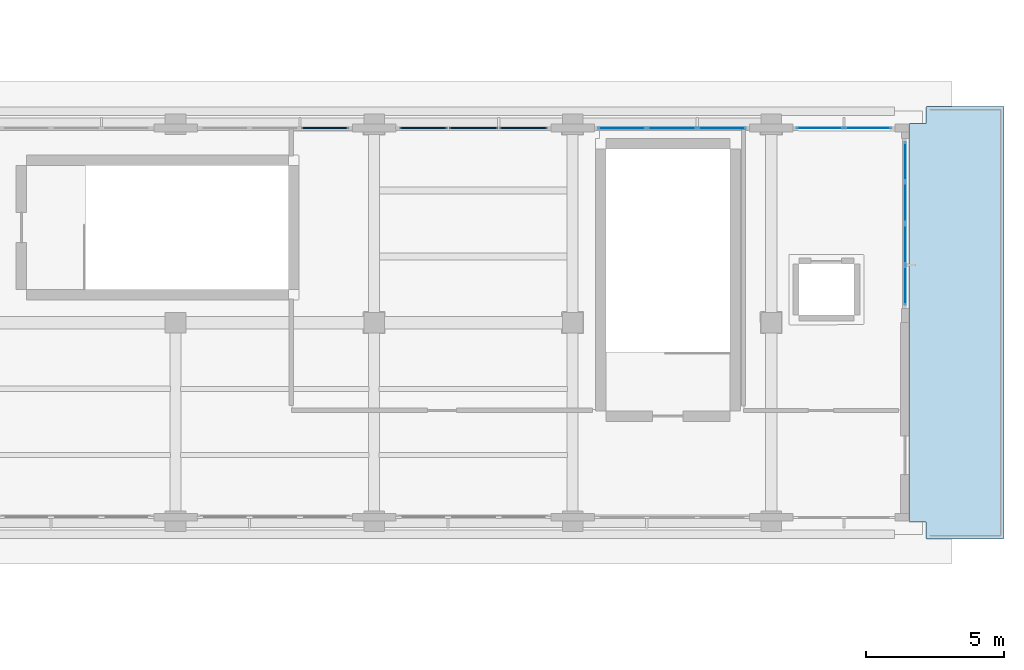
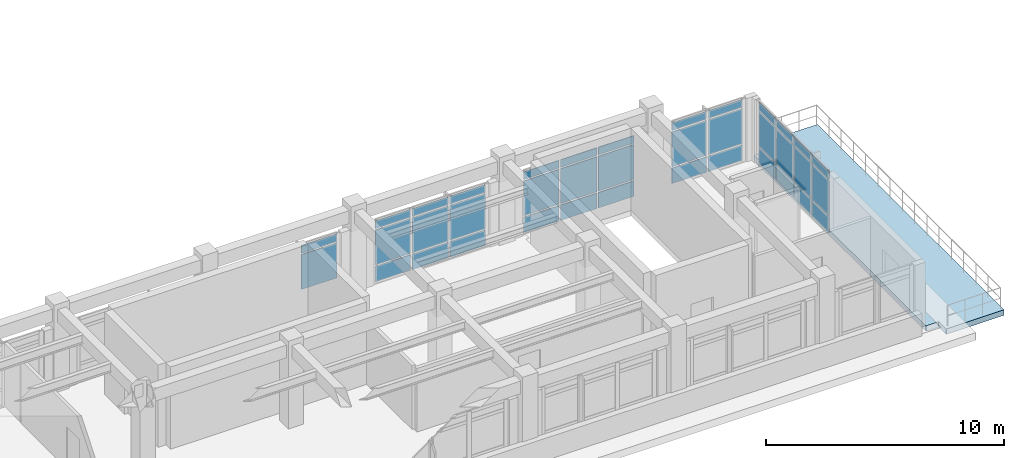
# One storey, part 39 of 64: 38 plates, 1 slab, 5 elements without a shape of their own.
"""IFC4 building model written with IfcOpenShell, lengths in metres."""

from ifc_helpers import new_model, si_unit, direction, frame, origin, origin_2d, place, context, subcontext, project, spatial, polyline, rectangle, outline, extrude, material, layer, layer_set, type_object, element, aggregate, save


model = new_model("IFC4")

# Units and contexts
model_context = context("Model", 3, precision=1e-05, world=origin(), true_north=direction((0.0, 1.0)))
body_context = subcontext(model_context, "Body", "Model", "MODEL_VIEW")
ifc_project = project(units=[si_unit("LENGTHUNIT", "METRE"), si_unit("AREAUNIT", "SQUARE_METRE"), si_unit("VOLUMEUNIT", "CUBIC_METRE"), si_unit("PLANEANGLEUNIT", "RADIAN"), si_unit("MASSUNIT", "GRAM", prefix="KILO")], contexts=[model_context])

# Site, building, storey
site_placement = place(None, origin())
site = spatial("IfcSite", under=ifc_project, at=site_placement, CompositionType="ELEMENT")
building_placement = place(site_placement, origin())
building = spatial("IfcBuilding", under=site, at=building_placement, Name="Solenvale Faculty of Natural Sciences", CompositionType="ELEMENT")
storey_placement = place(building_placement, frame((0.0, 0.0, 18.0)))
storey = spatial("IfcBuildingStorey", under=building, at=storey_placement, Name="L04", CompositionType="ELEMENT", Elevation=18.0)

# Curtain wall, plates
ifc_material_1 = material(Name="Anodised bronze aluminium", Category="aluminium")
ifc_layer_1 = layer(ifc_material_1, 0.199951171875)
ifc_layer_set_1 = layer_set([ifc_layer_1], Name="Anodised bronze aluminium")
curtain_wall_type = type_object("IfcCurtainWallType", Name="CW-COM-FIN", PredefinedType="USERDEFINED", material=ifc_layer_set_1)
curtain_wall_1_placement = place(storey_placement, origin())
curtain_wall_1 = element("IfcCurtainWall", 1, at=curtain_wall_1_placement, inside=storey, type_object=curtain_wall_type, Name="L04 Curtain Wall CW-L04-P2-E2-B2", ObjectType="UNITISED CURTAIN WALL", PredefinedType="USERDEFINED")
ifc_material_2 = material(Name="Triple low-E insulated glass", Category="glass")
ifc_layer_2 = layer(ifc_material_2, 0.031982421875)
ifc_layer_set_2 = layer_set([ifc_layer_2], Name="Triple low-E insulated glass")
plate_type_1 = type_object("IfcPlateType", Name="CWP-PNL-32", PredefinedType="CURTAIN_PANEL", material=ifc_layer_set_2)
plate_1_placement = place(storey_placement, frame((156.0576171875, 51.753662109375, 0.074951171875), z_axis=(0.0, 0.0, 1.0), x_axis=(0.0, 1.0, 0.0)))
plate_1 = element("IfcPlate", 2, at=plate_1_placement, type_object=plate_type_1, Name="CW-03 panel 1.1", PredefinedType="CURTAIN_PANEL", context=body_context, shape_type="SweptSolid", body=[
    extrude(rectangle(XDim=1.3974609375, YDim=0.031982421875, at=origin_2d()), origin(), (0.0, 0.0, 1.0), 0.78759765625),
])
plate_2_placement = place(storey_placement, frame((156.0576171875, 51.753662109375, 0.9375), z_axis=(0.0, 0.0, 1.0), x_axis=(0.0, 1.0, 0.0)))
plate_2 = element("IfcPlate", 3, at=plate_2_placement, type_object=plate_type_1, Name="CW-03 panel 1.2", PredefinedType="CURTAIN_PANEL", context=body_context, shape_type="SweptSolid", body=[
    extrude(rectangle(XDim=1.3974609375, YDim=0.031982421875, at=origin_2d()), origin(), (0.0, 0.0, 1.0), 1.784912109375),
])
plate_3_placement = place(storey_placement, frame((156.0576171875, 51.753662109375, 2.79736328125), z_axis=(0.0, 0.0, 1.0), x_axis=(0.0, 1.0, 0.0)))
plate_3 = element("IfcPlate", 4, at=plate_3_placement, type_object=plate_type_1, Name="CW-03 panel 1.3", PredefinedType="CURTAIN_PANEL", context=body_context, shape_type="SweptSolid", body=[
    extrude(rectangle(XDim=1.3974609375, YDim=0.031982421875, at=origin_2d()), origin(), (0.0, 0.0, 1.0), 0.387451171875),
])
plate_4_placement = place(storey_placement, frame((156.0576171875, 53.2451171875, 0.074951171875), z_axis=(0.0, 0.0, 1.0), x_axis=(0.0, 1.0, 0.0)))
plate_4 = element("IfcPlate", 5, at=plate_4_placement, type_object=plate_type_1, Name="CW-03 panel 2.1", PredefinedType="CURTAIN_PANEL", context=body_context, shape_type="SweptSolid", body=[
    extrude(rectangle(XDim=1.43505859375, YDim=0.031982421875, at=origin_2d()), origin(), (0.0, 0.0, 1.0), 0.78759765625),
])
plate_5_placement = place(storey_placement, frame((156.0576171875, 53.2451171875, 0.9375), z_axis=(0.0, 0.0, 1.0), x_axis=(0.0, 1.0, 0.0)))
plate_5 = element("IfcPlate", 6, at=plate_5_placement, type_object=plate_type_1, Name="CW-03 panel 2.2", PredefinedType="CURTAIN_PANEL", context=body_context, shape_type="SweptSolid", body=[
    extrude(rectangle(XDim=1.43505859375, YDim=0.031982421875, at=origin_2d()), origin(), (0.0, 0.0, 1.0), 1.784912109375),
])
plate_6_placement = place(storey_placement, frame((156.0576171875, 53.2451171875, 2.79736328125), z_axis=(0.0, 0.0, 1.0), x_axis=(0.0, 1.0, 0.0)))
plate_6 = element("IfcPlate", 7, at=plate_6_placement, type_object=plate_type_1, Name="CW-03 panel 2.3", PredefinedType="CURTAIN_PANEL", context=body_context, shape_type="SweptSolid", body=[
    extrude(rectangle(XDim=1.43505859375, YDim=0.031982421875, at=origin_2d()), origin(), (0.0, 0.0, 1.0), 0.387451171875),
])
plate_7_placement = place(storey_placement, frame((156.0576171875, 54.7548828125, 0.074951171875), z_axis=(0.0, 0.0, 1.0), x_axis=(0.0, 1.0, 0.0)))
plate_7 = element("IfcPlate", 8, at=plate_7_placement, type_object=plate_type_1, Name="CW-03 panel 3.1", PredefinedType="CURTAIN_PANEL", context=body_context, shape_type="SweptSolid", body=[
    extrude(rectangle(XDim=1.43505859375, YDim=0.031982421875, at=origin_2d()), origin(), (0.0, 0.0, 1.0), 0.78759765625),
])
plate_8_placement = place(storey_placement, frame((156.0576171875, 54.7548828125, 0.9375), z_axis=(0.0, 0.0, 1.0), x_axis=(0.0, 1.0, 0.0)))
plate_8 = element("IfcPlate", 9, at=plate_8_placement, type_object=plate_type_1, Name="CW-03 panel 3.2", PredefinedType="CURTAIN_PANEL", context=body_context, shape_type="SweptSolid", body=[
    extrude(rectangle(XDim=1.43505859375, YDim=0.031982421875, at=origin_2d()), origin(), (0.0, 0.0, 1.0), 1.784912109375),
])
plate_9_placement = place(storey_placement, frame((156.0576171875, 54.7548828125, 2.79736328125), z_axis=(0.0, 0.0, 1.0), x_axis=(0.0, 1.0, 0.0)))
plate_9 = element("IfcPlate", 10, at=plate_9_placement, type_object=plate_type_1, Name="CW-03 panel 3.3", PredefinedType="CURTAIN_PANEL", context=body_context, shape_type="SweptSolid", body=[
    extrude(rectangle(XDim=1.43505859375, YDim=0.031982421875, at=origin_2d()), origin(), (0.0, 0.0, 1.0), 0.387451171875),
])
plate_10_placement = place(storey_placement, frame((156.0576171875, 56.246337890625, 0.074951171875), z_axis=(0.0, 0.0, 1.0), x_axis=(0.0, 1.0, 0.0)))
plate_10 = element("IfcPlate", 11, at=plate_10_placement, type_object=plate_type_1, Name="CW-03 panel 4.1", PredefinedType="CURTAIN_PANEL", context=body_context, shape_type="SweptSolid", body=[
    extrude(rectangle(XDim=1.3974609375, YDim=0.031982421875, at=origin_2d()), origin(), (0.0, 0.0, 1.0), 0.78759765625),
])
plate_11_placement = place(storey_placement, frame((156.0576171875, 56.246337890625, 0.9375), z_axis=(0.0, 0.0, 1.0), x_axis=(0.0, 1.0, 0.0)))
plate_11 = element("IfcPlate", 12, at=plate_11_placement, type_object=plate_type_1, Name="CW-03 panel 4.2", PredefinedType="CURTAIN_PANEL", context=body_context, shape_type="SweptSolid", body=[
    extrude(rectangle(XDim=1.3974609375, YDim=0.031982421875, at=origin_2d()), origin(), (0.0, 0.0, 1.0), 1.784912109375),
])
plate_12_placement = place(storey_placement, frame((156.0576171875, 56.246337890625, 2.79736328125), z_axis=(0.0, 0.0, 1.0), x_axis=(0.0, 1.0, 0.0)))
plate_12 = element("IfcPlate", 13, at=plate_12_placement, type_object=plate_type_1, Name="CW-03 panel 4.3", PredefinedType="CURTAIN_PANEL", context=body_context, shape_type="SweptSolid", body=[
    extrude(rectangle(XDim=1.3974609375, YDim=0.031982421875, at=origin_2d()), origin(), (0.0, 0.0, 1.0), 0.387451171875),
])
aggregate(curtain_wall_1, [plate_1, plate_2, plate_3, plate_4, plate_5, plate_6, plate_7, plate_8, plate_9, plate_10, plate_11, plate_12])

curtain_wall_2_placement = place(storey_placement, origin())
curtain_wall_2 = element("IfcCurtainWall", 14, at=curtain_wall_2_placement, inside=storey, type_object=curtain_wall_type, Name="L04 Curtain Wall CW-L04-P2-E3-B1", ObjectType="UNITISED CURTAIN WALL", PredefinedType="USERDEFINED")
plate_13_placement = place(storey_placement, frame((154.708740234375, 57.45751953125, 0.074951171875), z_axis=(0.0, 0.0, 1.0), x_axis=(-1.0, 0.0, 0.0)))
plate_13 = element("IfcPlate", 15, at=plate_13_placement, type_object=plate_type_1, Name="CW-03 panel 1.1", PredefinedType="CURTAIN_PANEL", context=body_context, shape_type="SweptSolid", body=[
    extrude(rectangle(XDim=1.672607421875, YDim=0.031982421875, at=origin_2d()), origin(), (0.0, 0.0, 1.0), 0.78759765625),
])
plate_14_placement = place(storey_placement, frame((154.708740234375, 57.45751953125, 0.9375), z_axis=(0.0, 0.0, 1.0), x_axis=(-1.0, 0.0, 0.0)))
plate_14 = element("IfcPlate", 16, at=plate_14_placement, type_object=plate_type_1, Name="CW-03 panel 1.2", PredefinedType="CURTAIN_PANEL", context=body_context, shape_type="SweptSolid", body=[
    extrude(rectangle(XDim=1.672607421875, YDim=0.031982421875, at=origin_2d()), origin(), (0.0, 0.0, 1.0), 1.784912109375),
])
plate_15_placement = place(storey_placement, frame((154.708740234375, 57.45751953125, 2.79736328125), z_axis=(0.0, 0.0, 1.0), x_axis=(-1.0, 0.0, 0.0)))
plate_15 = element("IfcPlate", 17, at=plate_15_placement, type_object=plate_type_1, Name="CW-03 panel 1.3", PredefinedType="CURTAIN_PANEL", context=body_context, shape_type="SweptSolid", body=[
    extrude(rectangle(XDim=1.672607421875, YDim=0.031982421875, at=origin_2d()), origin(), (0.0, 0.0, 1.0), 0.387451171875),
])
plate_16_placement = place(storey_placement, frame((152.961181640625, 57.45751953125, 0.074951171875), z_axis=(0.0, 0.0, 1.0), x_axis=(-1.0, 0.0, 0.0)))
plate_16 = element("IfcPlate", 18, at=plate_16_placement, type_object=plate_type_1, Name="CW-03 panel 2.1", PredefinedType="CURTAIN_PANEL", context=body_context, shape_type="SweptSolid", body=[
    extrude(rectangle(XDim=1.672607421875, YDim=0.031982421875, at=origin_2d()), origin(), (0.0, 0.0, 1.0), 0.78759765625),
])
plate_17_placement = place(storey_placement, frame((152.961181640625, 57.45751953125, 0.9375), z_axis=(0.0, 0.0, 1.0), x_axis=(-1.0, 0.0, 0.0)))
plate_17 = element("IfcPlate", 19, at=plate_17_placement, type_object=plate_type_1, Name="CW-03 panel 2.2", PredefinedType="CURTAIN_PANEL", context=body_context, shape_type="SweptSolid", body=[
    extrude(rectangle(XDim=1.672607421875, YDim=0.031982421875, at=origin_2d()), origin(), (0.0, 0.0, 1.0), 1.784912109375),
])
plate_18_placement = place(storey_placement, frame((152.961181640625, 57.45751953125, 2.79736328125), z_axis=(0.0, 0.0, 1.0), x_axis=(-1.0, 0.0, 0.0)))
plate_18 = element("IfcPlate", 20, at=plate_18_placement, type_object=plate_type_1, Name="CW-03 panel 2.3", PredefinedType="CURTAIN_PANEL", context=body_context, shape_type="SweptSolid", body=[
    extrude(rectangle(XDim=1.672607421875, YDim=0.031982421875, at=origin_2d()), origin(), (0.0, 0.0, 1.0), 0.387451171875),
])
aggregate(curtain_wall_2, [plate_13, plate_14, plate_15, plate_16, plate_17, plate_18])

curtain_wall_3_placement = place(storey_placement, origin())
curtain_wall_3 = element("IfcCurtainWall", 21, at=curtain_wall_3_placement, inside=storey, type_object=curtain_wall_type, Name="L04 Curtain Wall CW-L04-P2-E3-B2", ObjectType="UNITISED CURTAIN WALL", PredefinedType="USERDEFINED")
ifc_layer_3 = layer(ifc_material_2, 0.035888671875)
ifc_layer_set_3 = layer_set([ifc_layer_3], Name="Triple low-E insulated glass")
plate_type_2 = type_object("IfcPlateType", Name="CWP-PNL-36", PredefinedType="CURTAIN_PANEL", material=ifc_layer_set_3)
plate_19_placement = place(storey_placement, frame((149.41455078125, 57.45751953125, 0.074951171875), z_axis=(0.0, 0.0, 1.0), x_axis=(-1.0, 0.0, 0.0)))
plate_19 = element("IfcPlate", 22, at=plate_19_placement, type_object=plate_type_2, Name="CW-03 panel 1.1", PredefinedType="CURTAIN_PANEL", context=body_context, shape_type="SweptSolid", body=[
    extrude(rectangle(XDim=1.720947265625, YDim=0.035888671875, at=origin_2d()), origin(), (0.0, 0.0, 1.0), 0.78759765625),
])
plate_20_placement = place(storey_placement, frame((149.41455078125, 57.45751953125, 0.9375), z_axis=(0.0, 0.0, 1.0), x_axis=(-1.0, 0.0, 0.0)))
plate_20 = element("IfcPlate", 23, at=plate_20_placement, type_object=plate_type_2, Name="CW-03 panel 1.2", PredefinedType="CURTAIN_PANEL", context=body_context, shape_type="SweptSolid", body=[
    extrude(rectangle(XDim=1.720947265625, YDim=0.035888671875, at=origin_2d()), origin(), (0.0, 0.0, 1.0), 1.784912109375),
])
plate_21_placement = place(storey_placement, frame((149.41455078125, 57.45751953125, 2.79736328125), z_axis=(0.0, 0.0, 1.0), x_axis=(-1.0, 0.0, 0.0)))
plate_21 = element("IfcPlate", 24, at=plate_21_placement, type_object=plate_type_2, Name="CW-03 panel 1.3", PredefinedType="CURTAIN_PANEL", context=body_context, shape_type="SweptSolid", body=[
    extrude(rectangle(XDim=1.720947265625, YDim=0.035888671875, at=origin_2d()), origin(), (0.0, 0.0, 1.0), 0.387451171875),
])
plate_22_placement = place(storey_placement, frame((147.60009765625, 57.45751953125, 0.074951171875), z_axis=(0.0, 0.0, 1.0), x_axis=(-1.0, 0.0, 0.0)))
plate_22 = element("IfcPlate", 25, at=plate_22_placement, type_object=plate_type_2, Name="CW-03 panel 2.1", PredefinedType="CURTAIN_PANEL", context=body_context, shape_type="SweptSolid", body=[
    extrude(rectangle(XDim=1.75830078125, YDim=0.035888671875, at=origin_2d()), origin(), (0.0, 0.0, 1.0), 0.78759765625),
])
plate_23_placement = place(storey_placement, frame((147.60009765625, 57.45751953125, 0.9375), z_axis=(0.0, 0.0, 1.0), x_axis=(-1.0, 0.0, 0.0)))
plate_23 = element("IfcPlate", 26, at=plate_23_placement, type_object=plate_type_2, Name="CW-03 panel 2.2", PredefinedType="CURTAIN_PANEL", context=body_context, shape_type="SweptSolid", body=[
    extrude(rectangle(XDim=1.75830078125, YDim=0.035888671875, at=origin_2d()), origin(), (0.0, 0.0, 1.0), 1.784912109375),
])
plate_24_placement = place(storey_placement, frame((147.60009765625, 57.45751953125, 2.79736328125), z_axis=(0.0, 0.0, 1.0), x_axis=(-1.0, 0.0, 0.0)))
plate_24 = element("IfcPlate", 27, at=plate_24_placement, type_object=plate_type_2, Name="CW-03 panel 2.3", PredefinedType="CURTAIN_PANEL", context=body_context, shape_type="SweptSolid", body=[
    extrude(rectangle(XDim=1.75830078125, YDim=0.035888671875, at=origin_2d()), origin(), (0.0, 0.0, 1.0), 0.387451171875),
])
plate_25_placement = place(storey_placement, frame((145.785400390625, 57.45751953125, 0.074951171875), z_axis=(0.0, 0.0, 1.0), x_axis=(-1.0, 0.0, 0.0)))
plate_25 = element("IfcPlate", 28, at=plate_25_placement, type_object=plate_type_2, Name="CW-03 panel 3.1", PredefinedType="CURTAIN_PANEL", context=body_context, shape_type="SweptSolid", body=[
    extrude(rectangle(XDim=1.720947265625, YDim=0.035888671875, at=origin_2d()), origin(), (0.0, 0.0, 1.0), 0.78759765625),
])
plate_26_placement = place(storey_placement, frame((145.785400390625, 57.45751953125, 0.9375), z_axis=(0.0, 0.0, 1.0), x_axis=(-1.0, 0.0, 0.0)))
plate_26 = element("IfcPlate", 29, at=plate_26_placement, type_object=plate_type_2, Name="CW-03 panel 3.2", PredefinedType="CURTAIN_PANEL", context=body_context, shape_type="SweptSolid", body=[
    extrude(rectangle(XDim=1.720947265625, YDim=0.035888671875, at=origin_2d()), origin(), (0.0, 0.0, 1.0), 1.784912109375),
])
plate_27_placement = place(storey_placement, frame((145.785400390625, 57.45751953125, 2.79736328125), z_axis=(0.0, 0.0, 1.0), x_axis=(-1.0, 0.0, 0.0)))
plate_27 = element("IfcPlate", 30, at=plate_27_placement, type_object=plate_type_2, Name="CW-03 panel 3.3", PredefinedType="CURTAIN_PANEL", context=body_context, shape_type="SweptSolid", body=[
    extrude(rectangle(XDim=1.720947265625, YDim=0.035888671875, at=origin_2d()), origin(), (0.0, 0.0, 1.0), 0.387451171875),
])
aggregate(curtain_wall_3, [plate_19, plate_20, plate_21, plate_22, plate_23, plate_24, plate_25, plate_26, plate_27])

curtain_wall_4_placement = place(storey_placement, origin())
curtain_wall_4 = element("IfcCurtainWall", 31, at=curtain_wall_4_placement, inside=storey, type_object=curtain_wall_type, Name="L04 Curtain Wall CW-L04-P2-E3-B3", ObjectType="UNITISED CURTAIN WALL", PredefinedType="USERDEFINED")
ifc_layer_4 = layer(ifc_material_2, 0.0400390625)
ifc_layer_set_4 = layer_set([ifc_layer_4], Name="Triple low-E insulated glass")
plate_type_3 = type_object("IfcPlateType", Name="CWP-PNL-40", PredefinedType="CURTAIN_PANEL", material=ifc_layer_set_4)
plate_28_placement = place(storey_placement, frame((142.214599609375, 57.45751953125, 0.074951171875), z_axis=(0.0, 0.0, 1.0), x_axis=(-1.0, 0.0, 0.0)))
plate_28 = element("IfcPlate", 32, at=plate_28_placement, type_object=plate_type_3, Name="CW-03 panel 1.1", PredefinedType="CURTAIN_PANEL", context=body_context, shape_type="SweptSolid", body=[
    extrude(rectangle(XDim=1.720947265625, YDim=0.0400390625, at=origin_2d()), origin(), (0.0, 0.0, 1.0), 0.78759765625),
])
plate_29_placement = place(storey_placement, frame((142.214599609375, 57.45751953125, 0.9375), z_axis=(0.0, 0.0, 1.0), x_axis=(-1.0, 0.0, 0.0)))
plate_29 = element("IfcPlate", 33, at=plate_29_placement, type_object=plate_type_3, Name="CW-03 panel 1.2", PredefinedType="CURTAIN_PANEL", context=body_context, shape_type="SweptSolid", body=[
    extrude(rectangle(XDim=1.720947265625, YDim=0.0400390625, at=origin_2d()), origin(), (0.0, 0.0, 1.0), 1.784912109375),
])
plate_30_placement = place(storey_placement, frame((142.214599609375, 57.45751953125, 2.79736328125), z_axis=(0.0, 0.0, 1.0), x_axis=(-1.0, 0.0, 0.0)))
plate_30 = element("IfcPlate", 34, at=plate_30_placement, type_object=plate_type_3, Name="CW-03 panel 1.3", PredefinedType="CURTAIN_PANEL", context=body_context, shape_type="SweptSolid", body=[
    extrude(rectangle(XDim=1.720947265625, YDim=0.0400390625, at=origin_2d()), origin(), (0.0, 0.0, 1.0), 0.387451171875),
])
plate_31_placement = place(storey_placement, frame((140.39990234375, 57.45751953125, 0.074951171875), z_axis=(0.0, 0.0, 1.0), x_axis=(-1.0, 0.0, 0.0)))
plate_31 = element("IfcPlate", 35, at=plate_31_placement, type_object=plate_type_3, Name="CW-03 panel 2.1", PredefinedType="CURTAIN_PANEL", context=body_context, shape_type="SweptSolid", body=[
    extrude(rectangle(XDim=1.75830078125, YDim=0.0400390625, at=origin_2d()), origin(), (0.0, 0.0, 1.0), 0.78759765625),
])
plate_32_placement = place(storey_placement, frame((140.39990234375, 57.45751953125, 0.9375), z_axis=(0.0, 0.0, 1.0), x_axis=(-1.0, 0.0, 0.0)))
plate_32 = element("IfcPlate", 36, at=plate_32_placement, type_object=plate_type_3, Name="CW-03 panel 2.2", PredefinedType="CURTAIN_PANEL", context=body_context, shape_type="SweptSolid", body=[
    extrude(rectangle(XDim=1.75830078125, YDim=0.0400390625, at=origin_2d()), origin(), (0.0, 0.0, 1.0), 1.784912109375),
])
plate_33_placement = place(storey_placement, frame((140.39990234375, 57.45751953125, 2.79736328125), z_axis=(0.0, 0.0, 1.0), x_axis=(-1.0, 0.0, 0.0)))
plate_33 = element("IfcPlate", 37, at=plate_33_placement, type_object=plate_type_3, Name="CW-03 panel 2.3", PredefinedType="CURTAIN_PANEL", context=body_context, shape_type="SweptSolid", body=[
    extrude(rectangle(XDim=1.75830078125, YDim=0.0400390625, at=origin_2d()), origin(), (0.0, 0.0, 1.0), 0.387451171875),
])
plate_34_placement = place(storey_placement, frame((138.58544921875, 57.45751953125, 0.074951171875), z_axis=(0.0, 0.0, 1.0), x_axis=(-1.0, 0.0, 0.0)))
plate_34 = element("IfcPlate", 38, at=plate_34_placement, type_object=plate_type_3, Name="CW-03 panel 3.1", PredefinedType="CURTAIN_PANEL", context=body_context, shape_type="SweptSolid", body=[
    extrude(rectangle(XDim=1.720947265625, YDim=0.0400390625, at=origin_2d()), origin(), (0.0, 0.0, 1.0), 0.78759765625),
])
plate_35_placement = place(storey_placement, frame((138.58544921875, 57.45751953125, 0.9375), z_axis=(0.0, 0.0, 1.0), x_axis=(-1.0, 0.0, 0.0)))
plate_35 = element("IfcPlate", 39, at=plate_35_placement, type_object=plate_type_3, Name="CW-03 panel 3.2", PredefinedType="CURTAIN_PANEL", context=body_context, shape_type="SweptSolid", body=[
    extrude(rectangle(XDim=1.720947265625, YDim=0.0400390625, at=origin_2d()), origin(), (0.0, 0.0, 1.0), 1.784912109375),
])
plate_36_placement = place(storey_placement, frame((138.58544921875, 57.45751953125, 2.79736328125), z_axis=(0.0, 0.0, 1.0), x_axis=(-1.0, 0.0, 0.0)))
plate_36 = element("IfcPlate", 40, at=plate_36_placement, type_object=plate_type_3, Name="CW-03 panel 3.3", PredefinedType="CURTAIN_PANEL", context=body_context, shape_type="SweptSolid", body=[
    extrude(rectangle(XDim=1.720947265625, YDim=0.0400390625, at=origin_2d()), origin(), (0.0, 0.0, 1.0), 0.387451171875),
])
aggregate(curtain_wall_4, [plate_28, plate_29, plate_30, plate_31, plate_32, plate_33, plate_34, plate_35, plate_36])

curtain_wall_5_placement = place(storey_placement, origin())
curtain_wall_5 = element("IfcCurtainWall", 41, at=curtain_wall_5_placement, inside=storey, type_object=curtain_wall_type, Name="L04 Curtain Wall CW-L04-P2-E3-B4", ObjectType="UNITISED CURTAIN WALL", PredefinedType="USERDEFINED")
ifc_layer_5 = layer(ifc_material_2, 0.0439453125)
ifc_layer_set_5 = layer_set([ifc_layer_5], Name="Triple low-E insulated glass")
plate_type_4 = type_object("IfcPlateType", Name="CWP-PNL-44", PredefinedType="CURTAIN_PANEL", material=ifc_layer_set_5)
plate_37_placement = place(storey_placement, frame((135.0146484375, 57.45751953125, 0.9375), z_axis=(0.0, 0.0, 1.0), x_axis=(-1.0, 0.0, 0.0)))
plate_37 = element("IfcPlate", 42, at=plate_37_placement, type_object=plate_type_4, Name="CW-03 panel 1.2", PredefinedType="CURTAIN_PANEL", context=body_context, shape_type="SweptSolid", body=[
    extrude(rectangle(XDim=1.720947265625, YDim=0.0439453125, at=origin_2d()), origin(), (0.0, 0.0, 1.0), 1.784912109375),
])
plate_38_placement = place(storey_placement, frame((135.0146484375, 57.45751953125, 2.79736328125), z_axis=(0.0, 0.0, 1.0), x_axis=(-1.0, 0.0, 0.0)))
plate_38 = element("IfcPlate", 43, at=plate_38_placement, type_object=plate_type_4, Name="CW-03 panel 1.3", PredefinedType="CURTAIN_PANEL", context=body_context, shape_type="SweptSolid", body=[
    extrude(rectangle(XDim=1.720947265625, YDim=0.0439453125, at=origin_2d()), origin(), (0.0, 0.0, 1.0), 0.387451171875),
])
aggregate(curtain_wall_5, [plate_37, plate_38])

# Slab
ifc_material_3 = material(Name="Precast terrace paving concrete 35 MPa", Category="concrete")
ifc_layer_6 = layer(ifc_material_3, 0.280029296875)
ifc_layer_set_6 = layer_set([ifc_layer_6], Name="Precast terrace paving concrete 35 MPa")
slab_type = type_object("IfcSlabType", Name="SL-TERR-280", PredefinedType="FLOOR", material=ifc_layer_set_6)
slab_placement = place(storey_placement, frame((0.0, 0.0, -0.280029296875)))
element("IfcSlab", 44, at=slab_placement, inside=storey, type_object=slab_type, Name="L04 Commons East Reading Terrace", PredefinedType="FLOOR", context=body_context, shape_type="SweptSolid", body=[
    extrude(outline(polyline([(156.219970703125, 43.179931640625), (156.205810546875, 43.185791015625), (156.199951171875, 43.199951171875), (156.200439453125, 57.60400390625), (156.219970703125, 57.6201171875), (156.820068359375, 57.6201171875), (156.820068359375, 58.219970703125), (156.836181640625, 58.239501953125), (159.623779296875, 58.239501953125), (159.639892578125, 58.219970703125), (159.6396484375, 42.576171875), (159.6201171875, 42.56005859375), (156.836181640625, 42.560302734375), (156.820068359375, 42.580078125), (156.820068359375, 43.179931640625), (156.219970703125, 43.179931640625)])), origin(), (0.0, 0.0, 1.0), 0.280029296875),
])

save(model, "model.ifc")
